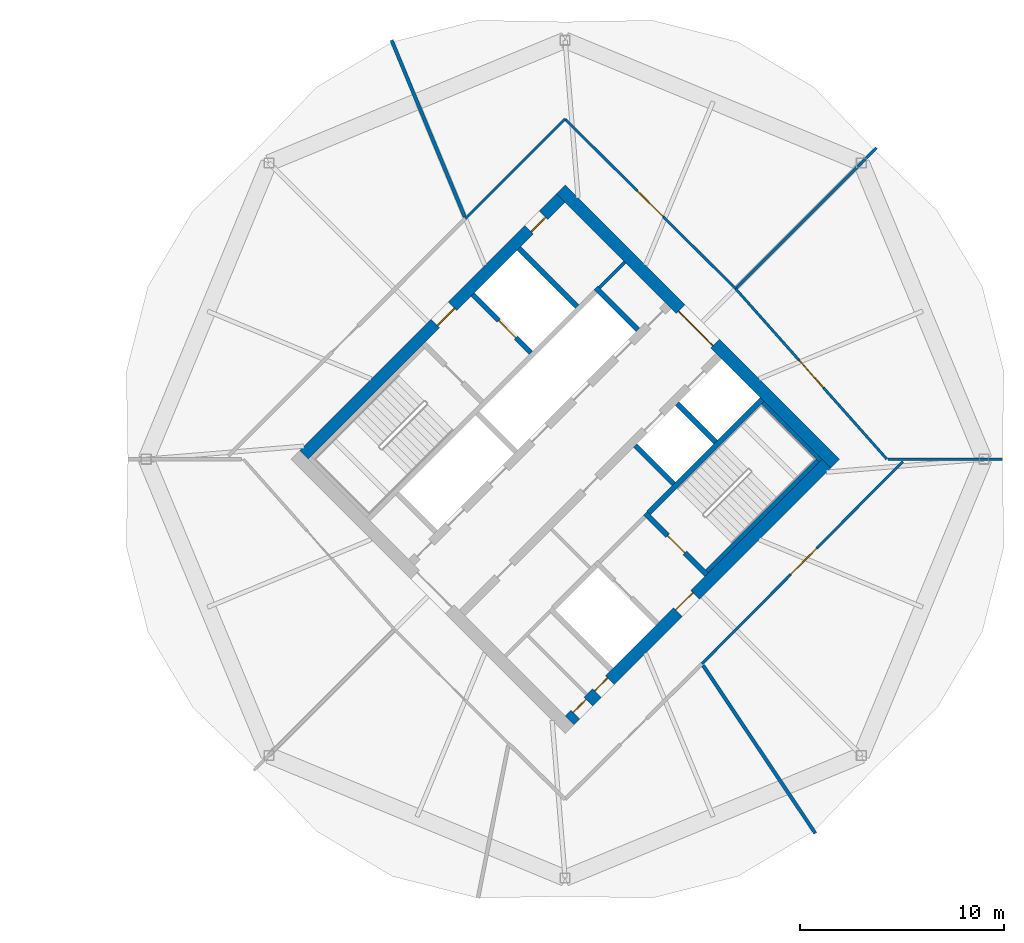
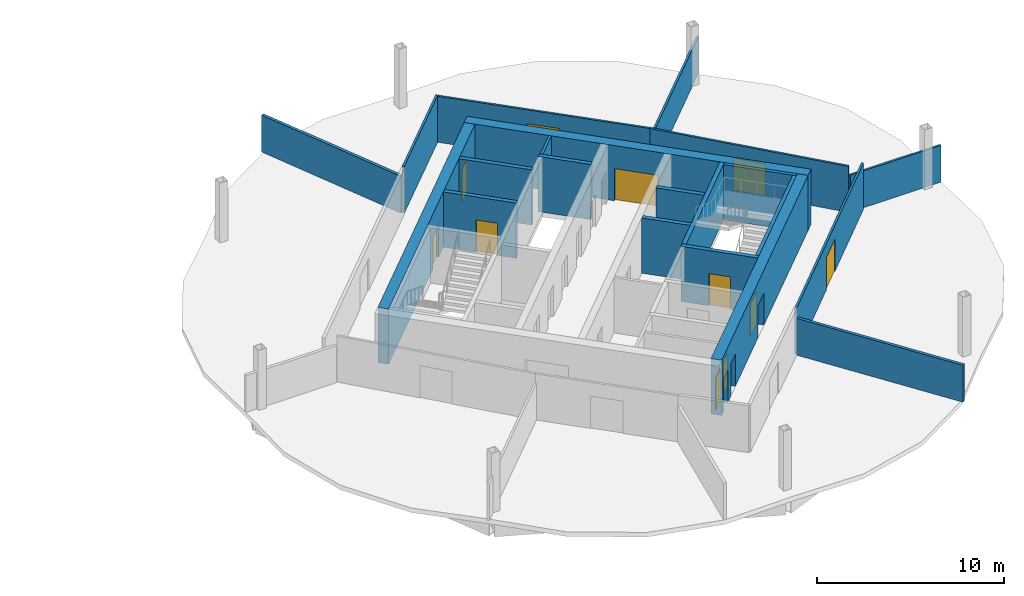
# One storey, part 7 of 9: 21 walls, 11 doors, 11 openings.
"""IFC4 building model written with IfcOpenShell, lengths in metres."""

from ifc_helpers import new_model, si_unit, direction, frame, frame_2d, origin, place, context, subcontext, project, spatial, rectangle, extrude, material, layer, layer_set, type_object, element, fill, save


model = new_model("IFC4")

# Units and contexts
model_context = context("Model", 3, precision=1e-05, world=origin(), true_north=direction((0.0, 1.0)))
body_context = subcontext(model_context, "Body", "Model", "MODEL_VIEW")
ifc_project = project(units=[si_unit("LENGTHUNIT", "METRE"), si_unit("AREAUNIT", "SQUARE_METRE"), si_unit("VOLUMEUNIT", "CUBIC_METRE"), si_unit("PLANEANGLEUNIT", "RADIAN"), si_unit("MASSUNIT", "GRAM", prefix="KILO")], contexts=[model_context])

# Site, building, storey
site_placement = place(None, origin())
site = spatial("IfcSite", under=ifc_project, at=site_placement, CompositionType="ELEMENT")
building_placement = place(site_placement, origin())
building = spatial("IfcBuilding", under=site, at=building_placement, Name="Ogive Gate Towers", CompositionType="ELEMENT")
storey_placement = place(building_placement, frame((0.0, 0.0, 192.89990234375)))
storey = spatial("IfcBuildingStorey", under=building, at=storey_placement, Name="L46", CompositionType="ELEMENT", Elevation=192.89990234375)

# Walls
ifc_material_1 = material(Name="Gypsum board acoustic partition")
ifc_layer_1 = layer(ifc_material_1, 0.175048828125)
ifc_layer_set_1 = layer_set([ifc_layer_1], Name="Acoustic partition 175")
wall_type_1 = type_object("IfcWallType", Name="Acoustic partition 175", PredefinedType="PARTITIONING", material=ifc_layer_set_1)
wall_1_placement = place(storey_placement, frame((27.498291015625, 20.52490234375, 0.0), z_axis=(0.0, 0.0, 1.0), x_axis=(0.382682490041, -0.923879922834, 0.0)))
element("IfcWall", 1, at=wall_1_placement, inside=storey, type_object=wall_type_1, Name="Partition T2-L46-003", PredefinedType="PARTITIONING", context=body_context, shape_type="SweptSolid", body=[
    extrude(rectangle(XDim=9.367431640625, YDim=0.175048828125, at=frame_2d((4.68359375, 0.0))), origin(), (0.0, 0.0, 1.0), 2.400146484375),
])
wall_2_placement = place(storey_placement, frame((48.2587890625, -18.331787109375, 0.0), z_axis=(0.0, 0.0, 1.0), x_axis=(-0.55588278431, 0.831260687214, 0.0)))
element("IfcWall", 2, at=wall_2_placement, inside=storey, type_object=wall_type_1, Name="Partition T2-L46-007", PredefinedType="PARTITIONING", context=body_context, shape_type="SweptSolid", body=[
    extrude(rectangle(XDim=9.90478515625, YDim=0.175048828125, at=frame_2d((4.952392578125, 0.0))), origin(), (0.0, 0.0, 1.0), 2.400146484375),
])

# Wall, openings, doors
ifc_material_2 = material(Name="Concrete C60/75", Category="concrete")
ifc_layer_2 = layer(ifc_material_2, 0.60009765625)
ifc_layer_set_2 = layer_set([ifc_layer_2], Name="Core wall 600 mm")
wall_type_2 = type_object("IfcWallType", Name="Core wall 600 mm", PredefinedType="SHEAR", material=ifc_layer_set_2)
wall_3_placement = place(storey_placement, frame((36.212158203125, -12.798583984375, 0.0), z_axis=(0.0, 0.0, 1.0), x_axis=(0.707106781187, 0.707106781187, 0.0)))
wall_3 = element("IfcWall", 3, at=wall_3_placement, inside=storey, type_object=wall_type_2, Name="T2 L46 Core wall 600 mm", PredefinedType="SHEAR", context=body_context, shape_type="SweptSolid", body=[
    extrude(rectangle(XDim=17.7998046875, YDim=0.60009765625, at=frame_2d((8.89990234375, 0.0))), origin(), (0.0, 0.0, 1.0), 3.60009765625),
])
opening_1_placement = place(wall_3_placement, frame((7.5, 0.0, 0.0)))
opening_1 = element("IfcOpeningElement", 4, at=opening_1_placement, cuts=wall_3, Name="Opening KD-T2-L46-19", PredefinedType="OPENING", context=body_context, shape_type="SweptSolid", body=[
    extrude(rectangle(XDim=1.199951171875, YDim=2.10009765625, at=frame_2d((0.60009765625, 1.050048828125))), frame((0.0, 0.31005859375, 0.0), z_axis=(0.0, -1.0, 0.0), x_axis=(1.0, 0.0, 0.0)), (0.0, 0.0, 1.0), 0.6201171875),
])
opening_2_placement = place(wall_3_placement, frame((0.39990234375, 0.0, 0.0)))
opening_2 = element("IfcOpeningElement", 5, at=opening_2_placement, cuts=wall_3, Name="Opening KD-T2-L46-21", PredefinedType="OPENING", context=body_context, shape_type="SweptSolid", body=[
    extrude(rectangle(XDim=0.89990234375, YDim=2.10009765625, at=frame_2d((0.449951171875, 1.050048828125))), frame((0.0, 0.31005859375, 0.0), z_axis=(0.0, -1.0, 0.0), x_axis=(1.0, 0.0, 0.0)), (0.0, 0.0, 1.0), 0.6201171875),
])
opening_3_placement = place(wall_3_placement, frame((1.89990234375, 0.0, 0.0)))
opening_3 = element("IfcOpeningElement", 6, at=opening_3_placement, cuts=wall_3, Name="Opening KD-T2-L46-22", PredefinedType="OPENING", context=body_context, shape_type="SweptSolid", body=[
    extrude(rectangle(XDim=0.89990234375, YDim=2.10009765625, at=frame_2d((0.449951171875, 1.050048828125))), frame((0.0, 0.31005859375, 0.0), z_axis=(0.0, -1.0, 0.0), x_axis=(1.0, 0.0, 0.0)), (0.0, 0.0, 1.0), 0.6201171875),
])
ifc_material_3 = material(Name="Timber door", Category="wood")
door_type_1 = type_object("IfcDoorType", Name="Core WC door 900 x 2100", OperationType="NOTDEFINED", PredefinedType="DOOR", material=ifc_material_3)
door_1_placement = place(opening_2_placement, origin())
door_1 = element("IfcDoor", 7, at=door_1_placement, inside=storey, type_object=door_type_1, Name="T2 L46 Core door", OperationType="SINGLE_SWING_RIGHT", OverallHeight=2.10009765625, OverallWidth=0.89990234375, PredefinedType="DOOR", context=body_context, shape_type="SweptSolid", body=[
    extrude(rectangle(XDim=0.89990234375, YDim=2.10009765625, at=frame_2d((0.449951171875, 1.050048828125))), frame((0.0, 0.1748046875, 0.0), z_axis=(0.0, -1.0, 0.0), x_axis=(1.0, 0.0, 0.0)), (0.0, 0.0, 1.0), 0.050048828125),
])
fill(opening_2, door_1)
door_2_placement = place(opening_3_placement, origin())
door_2 = element("IfcDoor", 8, at=door_2_placement, inside=storey, type_object=door_type_1, Name="T2 L46 Core door", OperationType="SINGLE_SWING_LEFT", OverallHeight=2.10009765625, OverallWidth=0.89990234375, PredefinedType="DOOR", context=body_context, shape_type="SweptSolid", body=[
    extrude(rectangle(XDim=0.89990234375, YDim=2.10009765625, at=frame_2d((0.449951171875, 1.050048828125))), frame((0.0, 0.1748046875, 0.0), z_axis=(0.0, -1.0, 0.0), x_axis=(1.0, 0.0, 0.0)), (0.0, 0.0, 1.0), 0.050048828125),
])
fill(opening_3, door_2)
ifc_material_4 = material(Name="Steel fire door", Category="steel")
door_type_2 = type_object("IfcDoorType", Name="Core door FD60S 1200 x 2100", OperationType="NOTDEFINED", PredefinedType="DOOR", material=ifc_material_4)
door_3_placement = place(opening_1_placement, origin())
door_3 = element("IfcDoor", 9, at=door_3_placement, inside=storey, type_object=door_type_2, Name="T2 L46 Fire-fighting lobby door", OperationType="SINGLE_SWING_RIGHT", OverallHeight=2.10009765625, OverallWidth=1.199951171875, PredefinedType="DOOR", context=body_context, shape_type="SweptSolid", body=[
    extrude(rectangle(XDim=1.199951171875, YDim=2.10009765625, at=frame_2d((0.60009765625, 1.050048828125))), frame((0.0, 0.1748046875, 0.0), z_axis=(0.0, -1.0, 0.0), x_axis=(1.0, 0.0, 0.0)), (0.0, 0.0, 1.0), 0.050048828125),
])
fill(opening_1, door_3)

wall_4_placement = place(storey_placement, frame((23.201416015625, 0.212158203125, 0.0), z_axis=(0.0, 0.0, 1.0), x_axis=(0.707106781187, 0.707106781187, 0.0)))
wall_4 = element("IfcWall", 10, at=wall_4_placement, inside=storey, type_object=wall_type_2, Name="T2 L46 Core wall 600 mm", PredefinedType="SHEAR", context=body_context, shape_type="SweptSolid", body=[
    extrude(rectangle(XDim=17.7998046875, YDim=0.60009765625, at=frame_2d((8.89990234375, 0.0))), origin(), (0.0, 0.0, 1.0), 3.60009765625),
])
opening_4_placement = place(wall_4_placement, frame((9.10009765625, 0.0, 0.0)))
opening_4 = element("IfcOpeningElement", 11, at=opening_4_placement, cuts=wall_4, Name="Opening KD-T2-L46-18", PredefinedType="OPENING", context=body_context, shape_type="SweptSolid", body=[
    extrude(rectangle(XDim=1.199951171875, YDim=2.10009765625, at=frame_2d((0.60009765625, 1.050048828125))), frame((0.0, 0.31005859375, 0.0), z_axis=(0.0, -1.0, 0.0), x_axis=(1.0, 0.0, 0.0)), (0.0, 0.0, 1.0), 0.6201171875),
])
opening_5_placement = place(wall_4_placement, frame((15.60009765625, 0.0, 0.0)))
opening_5 = element("IfcOpeningElement", 12, at=opening_5_placement, cuts=wall_4, Name="Opening KD-T2-L46-20", PredefinedType="OPENING", context=body_context, shape_type="SweptSolid", body=[
    extrude(rectangle(XDim=1.0, YDim=2.10009765625, at=frame_2d((0.5, 1.050048828125))), frame((0.0, 0.31005859375, 0.0), z_axis=(0.0, -1.0, 0.0), x_axis=(1.0, 0.0, 0.0)), (0.0, 0.0, 1.0), 0.6201171875),
])
door_type_3 = type_object("IfcDoorType", Name="Accessible WC door 1000 x 2100", OperationType="NOTDEFINED", PredefinedType="DOOR", material=ifc_material_3)
door_4_placement = place(opening_5_placement, origin())
door_4 = element("IfcDoor", 13, at=door_4_placement, inside=storey, type_object=door_type_3, Name="T2 L46 Core door", OperationType="SINGLE_SWING_LEFT", OverallHeight=2.10009765625, OverallWidth=1.0, PredefinedType="DOOR", context=body_context, shape_type="SweptSolid", body=[
    extrude(rectangle(XDim=1.0, YDim=2.10009765625, at=frame_2d((0.5, 1.050048828125))), frame((0.0, -0.125, 0.0), z_axis=(0.0, -1.0, 0.0), x_axis=(1.0, 0.0, 0.0)), (0.0, 0.0, 1.0), 0.050048828125),
])
fill(opening_5, door_4)
door_5_placement = place(opening_4_placement, origin())
door_5 = element("IfcDoor", 14, at=door_5_placement, inside=storey, type_object=door_type_2, Name="T2 L46 Fire-fighting lobby door", OperationType="SINGLE_SWING_LEFT", OverallHeight=2.10009765625, OverallWidth=1.199951171875, PredefinedType="DOOR", context=body_context, shape_type="SweptSolid", body=[
    extrude(rectangle(XDim=1.199951171875, YDim=2.10009765625, at=frame_2d((0.60009765625, 1.050048828125))), frame((0.0, -0.125, 0.0), z_axis=(0.0, -1.0, 0.0), x_axis=(1.0, 0.0, 0.0)), (0.0, 0.0, 1.0), 0.050048828125),
])
fill(opening_4, door_5)

# Wall, opening, door
wall_5_placement = place(storey_placement, frame((49.222900390625, -0.212158203125, 0.0), z_axis=(0.0, 0.0, 1.0), x_axis=(-0.707106781187, 0.707106781187, 0.0)))
wall_5 = element("IfcWall", 15, at=wall_5_placement, inside=storey, type_object=wall_type_2, Name="T2 L46 Core wall 600 mm", PredefinedType="SHEAR", context=body_context, shape_type="SweptSolid", body=[
    extrude(rectangle(XDim=19.0, YDim=0.60009765625, at=frame_2d((9.5, 0.0))), origin(), (0.0, 0.0, 1.0), 3.60009765625),
])
opening_6_placement = place(wall_5_placement, frame((8.300048828125, 0.0, 0.0)))
opening_6 = element("IfcOpeningElement", 16, at=opening_6_placement, cuts=wall_5, Name="Opening KD-T2-L46-02", PredefinedType="OPENING", context=body_context, shape_type="SweptSolid", body=[
    extrude(rectangle(XDim=2.39990234375, YDim=2.10009765625, at=frame_2d((1.199951171875, 1.050048828125))), frame((0.0, 0.31005859375, 0.0), z_axis=(0.0, -1.0, 0.0), x_axis=(1.0, 0.0, 0.0)), (0.0, 0.0, 1.0), 0.6201171875),
])
door_type_4 = type_object("IfcDoorType", Name="Core double door FD60S 2400 x 2100", OperationType="DOUBLE_DOOR_SINGLE_SWING", PredefinedType="DOOR", material=ifc_material_4)
door_6_placement = place(opening_6_placement, origin())
door_6 = element("IfcDoor", 17, at=door_6_placement, inside=storey, type_object=door_type_4, Name="T2 L46 Core door double", OperationType="DOUBLE_DOOR_SINGLE_SWING", OverallHeight=2.10009765625, OverallWidth=2.39990234375, PredefinedType="DOOR", context=body_context, shape_type="SweptSolid", body=[
    extrude(rectangle(XDim=2.39990234375, YDim=2.10009765625, at=frame_2d((1.199951171875, 1.050048828125))), frame((0.0, 0.1748046875, 0.0), z_axis=(0.0, -1.0, 0.0), x_axis=(1.0, 0.0, 0.0)), (0.0, 0.0, 1.0), 0.050048828125),
])
fill(opening_6, door_6)

# Walls
ifc_material_5 = material(Name="Gypsum board partition")
ifc_layer_3 = layer(ifc_material_5, 0.125)
ifc_layer_set_3 = layer_set([ifc_layer_3], Name="Partition 125")
wall_type_3 = type_object("IfcWallType", Name="Partition 125", PredefinedType="PARTITIONING", material=ifc_layer_set_3)
wall_6_placement = place(storey_placement, frame((57.4189453125, 0.0, 0.0), z_axis=(0.0, 0.0, 1.0), x_axis=(-1.0, 0.0, 0.0)))
element("IfcWall", 18, at=wall_6_placement, inside=storey, type_object=wall_type_3, Name="Partition T2-L46-001", PredefinedType="PARTITIONING", context=body_context, shape_type="SweptSolid", body=[
    extrude(rectangle(XDim=5.596435546875, YDim=0.125, at=frame_2d((2.79833984375, 0.0))), origin(), (0.0, 0.0, 1.0), 2.400146484375),
])
wall_7_placement = place(storey_placement, frame((51.248291015625, 15.248291015625, 0.0), z_axis=(0.0, 0.0, 1.0), x_axis=(-0.707106781187, -0.707106781187, 0.0)))
element("IfcWall", 19, at=wall_7_placement, inside=storey, type_object=wall_type_3, Name="Partition T2-L46-002", PredefinedType="PARTITIONING", context=body_context, shape_type="SweptSolid", body=[
    extrude(rectangle(XDim=9.69189453125, YDim=0.125, at=frame_2d((4.845947265625, 0.0))), origin(), (0.0, 0.0, 1.0), 2.400146484375),
])

# Wall, opening, door
wall_8_placement = place(storey_placement, frame((42.7041015625, -10.025390625, 0.0), z_axis=(0.0, 0.0, 1.0), x_axis=(0.704620567284, 0.709584284042, 0.0)))
wall_8 = element("IfcWall", 20, at=wall_8_placement, inside=storey, type_object=wall_type_3, Name="Partition T2-L46-012", PredefinedType="PARTITIONING", context=body_context, shape_type="SweptSolid", body=[
    extrude(rectangle(XDim=13.968505859375, YDim=0.125, at=frame_2d((6.984375, 0.0))), origin(), (0.0, 0.0, 1.0), 3.0),
])
opening_7_placement = place(wall_8_placement, frame((6.1640625, 0.0, 0.0)))
opening_7 = element("IfcOpeningElement", 21, at=opening_7_placement, cuts=wall_8, Name="Opening T2-L46-D04", PredefinedType="OPENING", context=body_context, shape_type="SweptSolid", body=[
    extrude(rectangle(XDim=1.800048828125, YDim=2.10009765625, at=frame_2d((0.89990234375, 1.050048828125))), frame((0.0, 0.072509765625, 0.0), z_axis=(0.0, -1.0, 0.0), x_axis=(1.0, 0.0, 0.0)), (0.0, 0.0, 1.0), 0.14501953125),
])
door_type_5 = type_object("IfcDoorType", Name="Door pair 1800", OperationType="NOTDEFINED", PredefinedType="DOOR", material=ifc_material_3)
door_7_placement = place(opening_7_placement, origin())
door_7 = element("IfcDoor", 22, at=door_7_placement, inside=storey, type_object=door_type_5, Name="Door T2-L46-D04", OperationType="DOUBLE_DOOR_DOUBLE_SWING", OverallHeight=2.10009765625, OverallWidth=1.800048828125, PredefinedType="DOOR", context=body_context, shape_type="SweptSolid", body=[
    extrude(rectangle(XDim=1.800048828125, YDim=2.10009765625, at=frame_2d((0.89990234375, 1.050048828125))), frame((0.0, 0.02490234375, 0.0), z_axis=(0.0, -1.0, 0.0), x_axis=(1.0, 0.0, 0.0)), (0.0, 0.0, 1.0), 0.050048828125),
])
fill(opening_7, door_7)

wall_9_placement = place(storey_placement, frame((51.760009765625, 0.0, 0.0), z_axis=(0.0, 0.0, 1.0), x_axis=(-0.663674010549, 0.748021929974, 0.0)))
wall_9 = element("IfcWall", 23, at=wall_9_placement, inside=storey, type_object=wall_type_3, Name="Partition T2-L46-013", PredefinedType="PARTITIONING", context=body_context, shape_type="SweptSolid", body=[
    extrude(rectangle(XDim=11.163818359375, YDim=0.125, at=frame_2d((5.58203125, 0.0))), origin(), (0.0, 0.0, 1.0), 3.0),
])
opening_8_placement = place(wall_9_placement, frame((4.681884765625, 0.0, 0.0)))
opening_8 = element("IfcOpeningElement", 24, at=opening_8_placement, cuts=wall_9, Name="Opening T2-L46-D05", PredefinedType="OPENING", context=body_context, shape_type="SweptSolid", body=[
    extrude(rectangle(XDim=1.800048828125, YDim=2.10009765625, at=frame_2d((0.89990234375, 1.050048828125))), frame((0.0, 0.072509765625, 0.0), z_axis=(0.0, -1.0, 0.0), x_axis=(1.0, 0.0, 0.0)), (0.0, 0.0, 1.0), 0.14501953125),
])
door_8_placement = place(opening_8_placement, origin())
door_8 = element("IfcDoor", 25, at=door_8_placement, inside=storey, type_object=door_type_5, Name="Door T2-L46-D05", OperationType="DOUBLE_DOOR_DOUBLE_SWING", OverallHeight=2.10009765625, OverallWidth=1.800048828125, PredefinedType="DOOR", context=body_context, shape_type="SweptSolid", body=[
    extrude(rectangle(XDim=1.800048828125, YDim=2.10009765625, at=frame_2d((0.89990234375, 1.050048828125))), frame((0.0, 0.02490234375, 0.0), z_axis=(0.0, -1.0, 0.0), x_axis=(1.0, 0.0, 0.0)), (0.0, 0.0, 1.0), 0.050048828125),
])
fill(opening_8, door_8)

wall_10_placement = place(storey_placement, frame((44.350830078125, 8.350830078125, 0.0), z_axis=(0.0, 0.0, 1.0), x_axis=(-0.70889721762, 0.705311799738, 0.0)))
wall_10 = element("IfcWall", 26, at=wall_10_placement, inside=storey, type_object=wall_type_3, Name="Partition T2-L46-014", PredefinedType="PARTITIONING", context=body_context, shape_type="SweptSolid", body=[
    extrude(rectangle(XDim=11.780029296875, YDim=0.125, at=frame_2d((5.89013671875, 0.0))), origin(), (0.0, 0.0, 1.0), 3.0),
])
opening_9_placement = place(wall_10_placement, frame((4.989990234375, 0.0, 0.0)))
opening_9 = element("IfcOpeningElement", 27, at=opening_9_placement, cuts=wall_10, Name="Opening T2-L46-D06", PredefinedType="OPENING", context=body_context, shape_type="SweptSolid", body=[
    extrude(rectangle(XDim=1.800048828125, YDim=2.10009765625, at=frame_2d((0.89990234375, 1.050048828125))), frame((0.0, 0.072509765625, 0.0), z_axis=(0.0, -1.0, 0.0), x_axis=(1.0, 0.0, 0.0)), (0.0, 0.0, 1.0), 0.14501953125),
])
door_9_placement = place(opening_9_placement, origin())
door_9 = element("IfcDoor", 28, at=door_9_placement, inside=storey, type_object=door_type_5, Name="Door T2-L46-D06", OperationType="DOUBLE_DOOR_DOUBLE_SWING", OverallHeight=2.10009765625, OverallWidth=1.800048828125, PredefinedType="DOOR", context=body_context, shape_type="SweptSolid", body=[
    extrude(rectangle(XDim=1.800048828125, YDim=2.10009765625, at=frame_2d((0.89990234375, 1.050048828125))), frame((0.0, 0.02490234375, 0.0), z_axis=(0.0, -1.0, 0.0), x_axis=(1.0, 0.0, 0.0)), (0.0, 0.0, 1.0), 0.050048828125),
])
fill(opening_9, door_9)

# Walls
wall_11_placement = place(storey_placement, frame((36.0, 16.659423828125, 0.0), z_axis=(0.0, 0.0, 1.0), x_axis=(-0.708097323547, -0.706114849288, 0.0)))
element("IfcWall", 29, at=wall_11_placement, inside=storey, type_object=wall_type_3, Name="Partition T2-L46-015", PredefinedType="PARTITIONING", context=body_context, shape_type="SweptSolid", body=[
    extrude(rectangle(XDim=6.896484375, YDim=0.125, at=frame_2d((3.4482421875, 0.0))), origin(), (0.0, 0.0, 1.0), 3.050048828125),
])
ifc_layer_4 = layer(ifc_material_5, 0.14990234375)
ifc_layer_set_4 = layer_set([ifc_layer_4], Name="Room partition 150 mm")
wall_type_4 = type_object("IfcWallType", Name="Room partition 150 mm", PredefinedType="PARTITIONING", material=ifc_layer_set_4)
wall_12_placement = place(storey_placement, frame((37.679443359375, 8.39697265625, 0.0), z_axis=(0.0, 0.0, 1.0), x_axis=(0.707106781187, 0.707106781187, 0.0)))
element("IfcWall", 30, at=wall_12_placement, inside=storey, type_object=wall_type_4, Name="T2 L46 Room partition 150 mm", PredefinedType="PARTITIONING", context=body_context, shape_type="SweptSolid", body=[
    extrude(rectangle(XDim=1.77490234375, YDim=0.14990234375, at=frame_2d((0.887451171875, 0.0))), origin(), (0.0, 0.0, 1.0), 3.60009765625),
])
ifc_layer_5 = layer(ifc_material_2, 0.25)
ifc_layer_set_5 = layer_set([ifc_layer_5], Name="Shaft wall 250 mm")
wall_type_5 = type_object("IfcWallType", Name="Shaft wall 250 mm", PredefinedType="SHEAR", material=ifc_layer_set_5)
wall_13_placement = place(storey_placement, frame((40.08349609375, -2.634033203125, 0.0), z_axis=(0.0, 0.0, 1.0), x_axis=(0.707106781187, 0.707106781187, 0.0)))
element("IfcWall", 31, at=wall_13_placement, inside=storey, type_object=wall_type_5, Name="T2 L46 Shaft wall 250 mm", PredefinedType="SHEAR", context=body_context, shape_type="SweptSolid", body=[
    extrude(rectangle(XDim=7.875244140625, YDim=0.25, at=frame_2d((3.9375, 0.0))), origin(), (0.0, 0.0, 1.0), 3.60009765625),
])

# Wall, opening, door
wall_14_placement = place(storey_placement, frame((42.9296875, -5.656982421875, 0.0), z_axis=(0.0, 0.0, 1.0), x_axis=(-0.707106781187, 0.707106781187, 0.0)))
wall_14 = element("IfcWall", 32, at=wall_14_placement, inside=storey, type_object=wall_type_5, Name="T2 L46 Shaft wall 250 mm", PredefinedType="SHEAR", context=body_context, shape_type="SweptSolid", body=[
    extrude(rectangle(XDim=4.250244140625, YDim=0.25, at=frame_2d((2.125, 0.0))), origin(), (0.0, 0.0, 1.0), 3.60009765625),
])
opening_10_placement = place(wall_14_placement, frame((1.5, 0.0, 0.0)))
opening_10 = element("IfcOpeningElement", 33, at=opening_10_placement, cuts=wall_14, Name="Opening KD-T2-L46-17", PredefinedType="OPENING", context=body_context, shape_type="SweptSolid", body=[
    extrude(rectangle(XDim=1.199951171875, YDim=2.10009765625, at=frame_2d((0.60009765625, 1.050048828125))), frame((0.0, 0.135009765625, 0.0), z_axis=(0.0, -1.0, 0.0), x_axis=(1.0, 0.0, 0.0)), (0.0, 0.0, 1.0), 0.27001953125),
])
door_10_placement = place(opening_10_placement, origin())
door_10 = element("IfcDoor", 34, at=door_10_placement, inside=storey, type_object=door_type_2, Name="T2 L46 Stair door", OperationType="SINGLE_SWING_RIGHT", OverallHeight=2.10009765625, OverallWidth=1.199951171875, PredefinedType="DOOR", context=body_context, shape_type="SweptSolid", body=[
    extrude(rectangle(XDim=1.199951171875, YDim=2.10009765625, at=frame_2d((0.60009765625, 1.050048828125))), frame((0.0, 0.02490234375, 0.0), z_axis=(0.0, -1.0, 0.0), x_axis=(1.0, 0.0, 0.0)), (0.0, 0.0, 1.0), 0.050048828125),
])
fill(opening_10, door_10)

wall_15_placement = place(storey_placement, frame((34.320556640625, 5.21484375, 0.0), z_axis=(0.0, 0.0, 1.0), x_axis=(-0.70707645213, 0.707137108942, 0.0)))
wall_15 = element("IfcWall", 35, at=wall_15_placement, inside=storey, type_object=wall_type_5, Name="T2 L46 Shaft wall 250 mm", PredefinedType="SHEAR", context=body_context, shape_type="SweptSolid", body=[
    extrude(rectangle(XDim=4.02490234375, YDim=0.25, at=frame_2d((2.012451171875, 0.0))), origin(), (0.0, 0.0, 1.0), 3.60009765625),
])
opening_11_placement = place(wall_15_placement, frame((1.02490234375, 0.0, 0.0)))
opening_11 = element("IfcOpeningElement", 36, at=opening_11_placement, cuts=wall_15, Name="Opening LD-T2-L46-12", PredefinedType="OPENING", context=body_context, shape_type="SweptSolid", body=[
    extrude(rectangle(XDim=1.199951171875, YDim=2.10009765625, at=frame_2d((0.60009765625, 1.050048828125))), frame((0.0, 0.135009765625, 0.0), z_axis=(0.0, -1.0, 0.0), x_axis=(1.0, 0.0, 0.0)), (0.0, 0.0, 1.0), 0.27001953125),
])
ifc_material_6 = material(Name="Stainless steel landing door", Category="steel")
door_type_6 = type_object("IfcDoorType", Name="Landing door 1200 x 2100", OperationType="SLIDING_TO_LEFT", PredefinedType="DOOR", material=ifc_material_6)
door_11_placement = place(opening_11_placement, origin())
door_11 = element("IfcDoor", 37, at=door_11_placement, inside=storey, type_object=door_type_6, Name="T2 L46 Lift landing door FF1", OperationType="SLIDING_TO_LEFT", OverallHeight=2.10009765625, OverallWidth=1.199951171875, PredefinedType="DOOR", context=body_context, shape_type="SweptSolid", body=[
    extrude(rectangle(XDim=1.199951171875, YDim=2.10009765625, at=frame_2d((0.60009765625, 1.050048828125))), frame((0.0, 0.02490234375, 0.0), z_axis=(0.0, -1.0, 0.0), x_axis=(1.0, 0.0, 0.0)), (0.0, 0.0, 1.0), 0.050048828125),
])
fill(opening_11, door_11)

# Walls
wall_16_placement = place(storey_placement, frame((41.321044921875, -1.2197265625, 0.0), z_axis=(0.0, 0.0, 1.0), x_axis=(-0.707106781187, 0.707106781187, 0.0)))
element("IfcWall", 38, at=wall_16_placement, inside=storey, type_object=wall_type_5, Name="T2 L46 Shaft wall 250 mm", PredefinedType="SHEAR", context=body_context, shape_type="SweptSolid", body=[
    extrude(rectangle(XDim=2.675048828125, YDim=0.25, at=frame_2d((1.33740234375, 0.0))), origin(), (0.0, 0.0, 1.0), 3.60009765625),
])
wall_17_placement = place(storey_placement, frame((36.58349609375, 7.477783203125, 0.0), z_axis=(0.0, 0.0, 1.0), x_axis=(-0.707137108942, 0.70707645213, 0.0)))
element("IfcWall", 39, at=wall_17_placement, inside=storey, type_object=wall_type_5, Name="T2 L46 Shaft wall 250 mm", PredefinedType="SHEAR", context=body_context, shape_type="SweptSolid", body=[
    extrude(rectangle(XDim=4.02490234375, YDim=0.25, at=frame_2d((2.012451171875, 0.0))), origin(), (0.0, 0.0, 1.0), 3.60009765625),
])
wall_18_placement = place(storey_placement, frame((43.37158203125, 0.830810546875, 0.0), z_axis=(0.0, 0.0, 1.0), x_axis=(-0.707106781187, 0.707106781187, 0.0)))
element("IfcWall", 40, at=wall_18_placement, inside=storey, type_object=wall_type_5, Name="T2 L46 Shaft wall 250 mm", PredefinedType="SHEAR", context=body_context, shape_type="SweptSolid", body=[
    extrude(rectangle(XDim=2.675048828125, YDim=0.25, at=frame_2d((1.33740234375, 0.0))), origin(), (0.0, 0.0, 1.0), 3.60009765625),
])
wall_19_placement = place(storey_placement, frame((39.57080078125, 6.32861328125, 0.0), z_axis=(0.0, 0.0, 1.0), x_axis=(-0.707065045505, 0.707148514405, 0.0)))
element("IfcWall", 41, at=wall_19_placement, inside=storey, type_object=wall_type_5, Name="T2 L46 Shaft wall 250 mm", PredefinedType="SHEAR", context=body_context, shape_type="SweptSolid", body=[
    extrude(rectangle(XDim=2.925048828125, YDim=0.25, at=frame_2d((1.46240234375, 0.0))), origin(), (0.0, 0.0, 1.0), 3.60009765625),
])
ifc_layer_6 = layer(ifc_material_2, 0.199951171875)
ifc_layer_set_6 = layer_set([ifc_layer_6], Name="Stair wall 200 mm")
wall_type_6 = type_object("IfcWallType", Name="Stair wall 200 mm", PredefinedType="SHEAR", material=ifc_layer_set_6)
wall_20_placement = place(storey_placement, frame((42.947265625, -5.497802734375, 0.0), z_axis=(0.0, 0.0, 1.0), x_axis=(0.707122685701, 0.707090876314, 0.0)))
element("IfcWall", 42, at=wall_20_placement, inside=storey, type_object=wall_type_6, Name="T2 L46 Stair wall 200 mm", PredefinedType="SHEAR", context=body_context, shape_type="SweptSolid", body=[
    extrude(rectangle(XDim=7.675048828125, YDim=0.199951171875, at=frame_2d((3.83740234375, 0.0))), origin(), (0.0, 0.0, 1.0), 3.60009765625),
])
wall_21_placement = place(storey_placement, frame((48.515869140625, -0.07080078125, 0.0), z_axis=(0.0, 0.0, 1.0), x_axis=(-0.707106781187, 0.707106781187, 0.0)))
element("IfcWall", 43, at=wall_21_placement, inside=storey, type_object=wall_type_6, Name="T2 L46 Stair wall 200 mm", PredefinedType="SHEAR", context=body_context, shape_type="SweptSolid", body=[
    extrude(rectangle(XDim=4.025146484375, YDim=0.199951171875, at=frame_2d((2.0126953125, 0.0))), origin(), (0.0, 0.0, 1.0), 3.60009765625),
])

save(model, "model.ifc")
